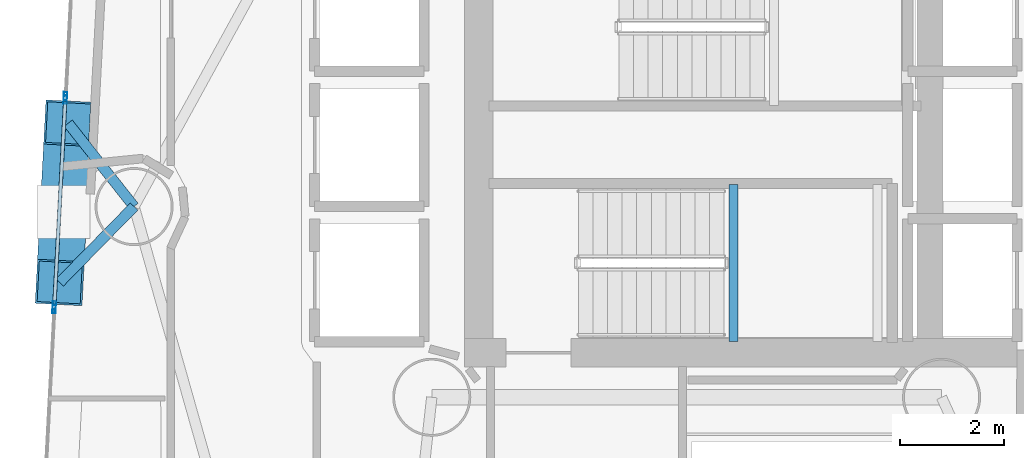
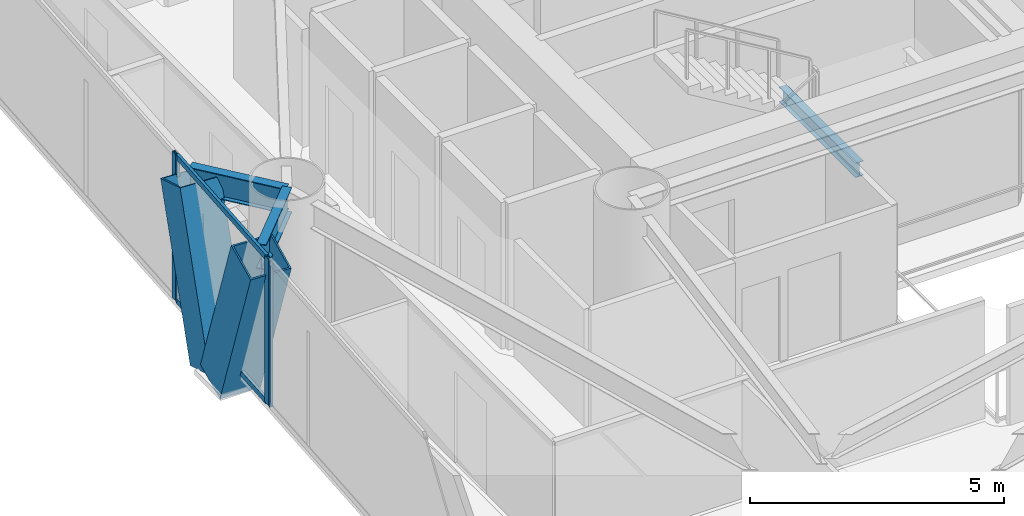
# One storey, part 7 of 21: 8 members, 3 beams, 3 elements without a shape of their own.
"""IFC4 building model written with IfcOpenShell, lengths in metres."""

import ifcopenshell
import ifcopenshell.guid

model = None  # the IFC model being written
_history = None  # IfcOwnerHistory: only IFC2X3 demands one
_inside = {}  # id of a spatial element -> (the spatial element, [elements in it])
_under = {}  # id of a project, library or spatial element -> (it, [spatial elements below it])
_declared = {}  # id of a project -> (the project, [libraries it declares])
_typed = {}  # id of a type object -> (the type object, [elements of that type])
_made_of = {}  # id of a material, layer set ... -> (it, [elements and type objects made of it])


def new_model(schema):
    """Start an empty IFC model of exactly this schema.

    Asked for "IFC4X3", IfcOpenShell would pick the latest addendum, in which some entities
    have other attributes; the version numbers below select the first issue.
    IFC2X3 requires an IfcOwnerHistory on every rooted entity: one is made here for all.
    """
    global model, _history
    if schema == "IFC4X3":
        model = ifcopenshell.file(schema_version=(4, 3, 0, 0))
    else:
        model = ifcopenshell.file(schema=schema)
    _inside.clear()
    _under.clear()
    _declared.clear()
    _typed.clear()
    _made_of.clear()
    _history = None
    if model.schema == "IFC2X3":
        org = make("IfcOrganization", Name="unknown")
        user = make(
            "IfcPersonAndOrganization",
            ThePerson=make("IfcPerson", FamilyName="unknown"),
            TheOrganization=org,
        )
        app = make(
            "IfcApplication",
            ApplicationDeveloper=org,
            Version="unknown",
            ApplicationFullName="unknown",
            ApplicationIdentifier="unknown",
        )
        _history = make(
            "IfcOwnerHistory",
            OwningUser=user,
            OwningApplication=app,
            ChangeAction="ADDED",
            CreationDate=0,
        )
    return model


def make(cls, **values):
    """One entity of the class cls with the attributes given. An attribute that is None is left unset."""
    return model.create_entity(
        cls, **{name: value for name, value in values.items() if value is not None}
    )


def rooted(cls, **values):
    """An entity with a GlobalId (a new one), such as an element, a storey or a relation."""
    return make(cls, GlobalId=ifcopenshell.guid.new(), OwnerHistory=_history, **values)


def si_unit(unit_type, name, prefix=None):
    """IfcSIUnit, for example si_unit("LENGTHUNIT", "METRE", prefix="MILLI")."""
    return make("IfcSIUnit", UnitType=unit_type, Prefix=prefix, Name=name)


def assignment(units):
    """IfcUnitAssignment: the units of a project."""
    return None if units is None else make("IfcUnitAssignment", Units=units)


def point(xyz):
    """IfcCartesianPoint."""
    return None if xyz is None else make("IfcCartesianPoint", Coordinates=xyz)


def direction(xyz):
    """IfcDirection."""
    return None if xyz is None else make("IfcDirection", DirectionRatios=xyz)


def frame(location, z_axis=None, x_axis=None):
    """IfcAxis2Placement3D, a coordinate frame: its origin and axes. An axis left out is left unset."""
    return make(
        "IfcAxis2Placement3D",
        Location=point(location),
        Axis=direction(z_axis),
        RefDirection=direction(x_axis),
    )


def frame_2d(location, x_axis=None):
    """IfcAxis2Placement2D, a coordinate frame in the plane: its origin and x axis."""
    return make(
        "IfcAxis2Placement2D", Location=point(location), RefDirection=direction(x_axis)
    )


def origin():
    """The frame at (0, 0, 0) with its axes left unset."""
    return frame((0.0, 0.0, 0.0))


def origin_2d():
    """The frame at (0, 0) in the plane with its x axis left unset."""
    return frame_2d((0.0, 0.0))


def place(relative_to, where):
    """IfcLocalPlacement: puts the frame where relative to a parent placement (None: the world)."""
    return make(
        "IfcLocalPlacement", PlacementRelTo=relative_to, RelativePlacement=where
    )


def context(
    kind, dimensions, precision=None, world=None, true_north=None, identifier=None
):
    """IfcGeometricRepresentationContext, for example the 3D "Model" context."""
    return make(
        "IfcGeometricRepresentationContext",
        ContextIdentifier=identifier,
        ContextType=kind,
        CoordinateSpaceDimension=dimensions,
        Precision=precision,
        WorldCoordinateSystem=world,
        TrueNorth=true_north,
    )


def subcontext(parent, identifier, kind, view, scale=None):
    """IfcGeometricRepresentationSubContext, for example "Body" below "Model"."""
    return make(
        "IfcGeometricRepresentationSubContext",
        ContextIdentifier=identifier,
        ContextType=kind,
        ParentContext=parent,
        TargetScale=scale,
        TargetView=view,
    )


def project(units=None, contexts=None):
    """IfcProject with its units and contexts."""
    return rooted(
        "IfcProject",
        Name="project",
        RepresentationContexts=contexts,
        UnitsInContext=assignment(units),
    )


def spatial(cls, under=None, at=None, **own):
    """A site, building, storey or space (cls), placed at a placement, below another one or the project."""
    s = rooted(cls, ObjectPlacement=at, **own)
    if under is not None:
        _under.setdefault(under.id(), (under, []))[1].append(s)
    return s


def profile(cls, at=None, kind="AREA", **sizes):
    """A parametric profile (cls). Its sizes go by their IFC names, for example OverallWidth=200.0."""
    return make(cls, ProfileType=kind, Position=at, **sizes)


def hollow_rectangle(**sizes):
    """IfcRectangleHollowProfileDef."""
    return profile("IfcRectangleHollowProfileDef", **sizes)


def i_section(**sizes):
    """IfcIShapeProfileDef."""
    return profile("IfcIShapeProfileDef", **sizes)


def extrude(swept, where, along, depth):
    """IfcExtrudedAreaSolid: the profile swept, set in the frame where, extruded along a direction by depth."""
    return make(
        "IfcExtrudedAreaSolid",
        SweptArea=swept,
        Position=where,
        ExtrudedDirection=direction(along),
        Depth=depth,
    )


def shape(context_of_items, identifier, shape_type, items):
    """IfcShapeRepresentation: the items that make up one representation, for example the "Body"."""
    return make(
        "IfcShapeRepresentation",
        ContextOfItems=context_of_items,
        RepresentationIdentifier=identifier,
        RepresentationType=shape_type,
        Items=items,
    )


def material(Name=None, Category=None):
    """IfcMaterial."""
    return make("IfcMaterial", Name=Name, Category=Category)


def layer(
    of_material, thickness, ventilated=None, Name=None, Category=None, Priority=None
):
    """IfcMaterialLayer: one layer of a wall or slab, of a material (None: an air gap)."""
    return make(
        "IfcMaterialLayer",
        Material=of_material,
        LayerThickness=thickness,
        IsVentilated=ventilated,
        Name=Name,
        Category=Category,
        Priority=Priority,
    )


def layer_set(layers, Name=None):
    """IfcMaterialLayerSet."""
    return make("IfcMaterialLayerSet", MaterialLayers=layers, LayerSetName=Name)


def material_profile(
    of_material, cross_section, Name=None, Category=None, Priority=None
):
    """IfcMaterialProfile: a cross section and its material."""
    return make(
        "IfcMaterialProfile",
        Name=Name,
        Material=of_material,
        Profile=cross_section,
        Priority=Priority,
        Category=Category,
    )


def profile_set(profiles, Name=None, composite=None):
    """IfcMaterialProfileSet."""
    return make(
        "IfcMaterialProfileSet",
        Name=Name,
        MaterialProfiles=profiles,
        CompositeProfile=composite,
    )


def made_of(thing, what):
    """Note that an element or type object is made of a material, layer set ...; save() writes the relation."""
    if what is not None:
        _made_of.setdefault(what.id(), (what, []))[1].append(thing)
    return thing


def type_object(cls, material=None, **own):
    """A type object (cls), such as IfcWallType, which elements share."""
    return made_of(rooted(cls, **own), material)


def element(
    cls,
    number,
    at=None,
    inside=None,
    cuts=None,
    type_object=None,
    material=None,
    context=None,
    identifier="Body",
    shape_type=None,
    held_by="IfcProductDefinitionShape",
    body=None,
    shapes=None,
    **own,
):
    """One element of the class cls, such as IfcWall. Its Tag is "e" and its number.

    at: its placement. inside: the storey or other place that contains it. cuts: it is an
    opening in that element (IfcRelVoidsElement). A single representation is given by context,
    identifier, shape_type and body (its items); several are given by shapes. held_by: the class
    of the entity that holds the representations. save() writes the other relations.
    """
    e = rooted(cls, Tag="e%d" % number, ObjectPlacement=at, **own)
    if body is not None:
        shapes = [shape(context, identifier, shape_type, body)]
    if shapes is not None:
        e.Representation = make(held_by, Representations=shapes)
    if inside is not None:
        _inside.setdefault(inside.id(), (inside, []))[1].append(e)
    if cuts is not None:
        rooted(
            "IfcRelVoidsElement", RelatingBuildingElement=cuts, RelatedOpeningElement=e
        )
    if type_object is not None:
        _typed.setdefault(type_object.id(), (type_object, []))[1].append(e)
    return made_of(e, material)


def aggregate(whole, parts):
    """IfcRelAggregates: a whole, such as a stair, and the parts it consists of."""
    return rooted("IfcRelAggregates", RelatingObject=whole, RelatedObjects=parts)


def save(model, path):
    """Write the relations noted so far, then the file.

    IfcRelAggregates (storeys below a building ...), IfcRelContainedInSpatialStructure (elements
    in a storey), IfcRelDefinesByType, IfcRelAssociatesMaterial and IfcRelDeclares: one each for
    every whole, place, type object, material and project.
    """
    for whole, parts in _under.values():
        aggregate(whole, parts)
    for where, things in _inside.values():
        rooted(
            "IfcRelContainedInSpatialStructure",
            RelatedElements=things,
            RelatingStructure=where,
        )
    for kind, things in _typed.values():
        rooted("IfcRelDefinesByType", RelatedObjects=things, RelatingType=kind)
    for what, things in _made_of.values():
        rooted("IfcRelAssociatesMaterial", RelatedObjects=things, RelatingMaterial=what)
    for by, libraries in _declared.values():
        rooted("IfcRelDeclares", RelatingContext=by, RelatedDefinitions=libraries)
    model.write(path)


model = new_model("IFC4")

# Units and contexts
model_context = context("Model", 3, precision=1e-05, world=origin(), true_north=direction((0.0, 1.0)))
body_context = subcontext(model_context, "Body", "Model", "MODEL_VIEW")
ifc_project = project(units=[si_unit("LENGTHUNIT", "METRE"), si_unit("AREAUNIT", "SQUARE_METRE"), si_unit("VOLUMEUNIT", "CUBIC_METRE"), si_unit("PLANEANGLEUNIT", "RADIAN"), si_unit("MASSUNIT", "GRAM", prefix="KILO")], contexts=[model_context])

# Site, building, storey
site_placement = place(None, origin())
site = spatial("IfcSite", under=ifc_project, at=site_placement, CompositionType="ELEMENT")
building_placement = place(site_placement, origin())
building = spatial("IfcBuilding", under=site, at=building_placement, Name="Qianvela Tower", CompositionType="ELEMENT")
storey_placement = place(building_placement, frame((0.0, 0.0, 131.10009765625)))
storey = spatial("IfcBuildingStorey", under=building, at=storey_placement, Name="L33", CompositionType="ELEMENT", Elevation=131.10009765625)

# Beams
ifc_material_1 = material(Name="Steel Q355B", Category="steel")
ifc_material_profile_1 = material_profile(ifc_material_1, i_section(OverallWidth=0.175048828125, OverallDepth=0.35009765625, WebThickness=0.007080078125, FlangeThickness=0.010986328125, at=origin_2d()), Name="HN350x175x7x11")
ifc_profile_set_1 = profile_set([ifc_material_profile_1], Name="Steel Q355B")
beam_type_1 = type_object("IfcBeamType", Name="BM-HN350-JOIST", PredefinedType="JOIST", material=ifc_profile_set_1)
beam_1_placement = place(storey_placement, frame((34.39990234375, 24.919921875, 1.474853515625), z_axis=(0.0, 1.0, 0.0), x_axis=(-1.0, 0.0, 0.0)))
element("IfcBeam", 1, at=beam_1_placement, inside=storey, type_object=beam_type_1, Name="L33 Stair ST-2 Landing Support Beam 1.1", PredefinedType="JOIST", context=body_context, shape_type="SweptSolid", body=[
    extrude(i_section(OverallWidth=0.175048828125, OverallDepth=0.35009765625, WebThickness=0.007080078125, FlangeThickness=0.010986328125, at=origin_2d()), origin(), (0.0, 0.0, 1.0), 3.02001953125),
])
ifc_material_2 = material(Name="Steel Q355B", Category="steel")
ifc_material_profile_2 = material_profile(ifc_material_2, i_section(OverallWidth=0.199951171875, OverallDepth=0.60009765625, WebThickness=0.010986328125, FlangeThickness=0.01708984375, at=origin_2d()), Name="HN600x200x11x17")
ifc_profile_set_2 = profile_set([ifc_material_profile_2], Name="Steel Q355B")
beam_type_2 = type_object("IfcBeamType", Name="BM-HN600-GIRD", PredefinedType="BEAM", material=ifc_profile_set_2)
beam_2_placement = place(storey_placement, frame((22.8779296875, 27.51611328125, 3.218017578125), z_axis=(-0.620179122694, 0.784460232118, 0.0), x_axis=(-0.784460232118, -0.620179122694, 0.0)))
element("IfcBeam", 2, at=beam_2_placement, inside=storey, type_object=beam_type_2, Name="L33 Mega-Brace Column Tie Bracket F2-1", PredefinedType="BEAM", context=body_context, shape_type="SweptSolid", body=[
    extrude(i_section(OverallWidth=0.199951171875, OverallDepth=0.60009765625, WebThickness=0.010986328125, FlangeThickness=0.01708984375, at=origin_2d()), origin(), (0.0, 0.0, 1.0), 2.0419921875),
])
beam_3_placement = place(storey_placement, frame((22.8779296875, 27.51611328125, 3.218017578125), z_axis=(-0.699716335504, -0.714420779253, 0.0), x_axis=(0.714420779253, -0.699716335504, 0.0)))
element("IfcBeam", 3, at=beam_3_placement, inside=storey, type_object=beam_type_2, Name="L33 Mega-Brace Column Tie Bracket F2-2", PredefinedType="BEAM", context=body_context, shape_type="SweptSolid", body=[
    extrude(i_section(OverallWidth=0.199951171875, OverallDepth=0.60009765625, WebThickness=0.010986328125, FlangeThickness=0.01708984375, at=origin_2d()), origin(), (0.0, 0.0, 1.0), 2.042236328125),
])

# Curtain wall, members
ifc_material_3 = material(Name="Anodised Architectural Aluminium and Insulated Spandrel Panel", Category="aluminium")
ifc_layer_1 = layer(ifc_material_3, 0.179931640625)
ifc_layer_set_1 = layer_set([ifc_layer_1], Name="Anodised Architectural Aluminium and Insulated Spandrel Panel")
curtain_wall_type_1 = type_object("IfcCurtainWallType", Name="CW-BRACEBAY", PredefinedType="USERDEFINED", material=ifc_layer_set_1)
curtain_wall_1_placement = place(storey_placement, origin())
curtain_wall_1 = element("IfcCurtainWall", 4, at=curtain_wall_1_placement, inside=storey, type_object=curtain_wall_type_1, Name="L33 CW-BRACEBAY Curtain Wall 04B", ObjectType="CURTAIN_WALL_SYSTEM", PredefinedType="USERDEFINED")
ifc_material_4 = material(Name="Anodised Architectural Aluminium 6063-T6", Category="aluminium")
ifc_material_profile_3 = material_profile(ifc_material_4, hollow_rectangle(XDim=0.06494140625, YDim=0.159912109375, WallThickness=0.0048828125, at=origin_2d()), Name="ALU-MULL-65x160")
ifc_profile_set_3 = profile_set([ifc_material_profile_3], Name="Anodised Architectural Aluminium 6063-T6")
member_type_1 = type_object("IfcMemberType", Name="CW-BRACEBAY-MULL", PredefinedType="MULLION", material=ifc_profile_set_3)
member_1_placement = place(storey_placement, frame((21.5556640625, 29.572265625, 0.0), z_axis=(0.0, 0.0, 1.0), x_axis=(0.998591727991, -0.053052434325, 0.0)))
member_1 = element("IfcMember", 5, at=member_1_placement, type_object=member_type_1, Name="CW-9 mullion 1", PredefinedType="MULLION", context=body_context, shape_type="SweptSolid", body=[
    extrude(hollow_rectangle(XDim=0.06494140625, YDim=0.159912109375, WallThickness=0.0048828125, at=origin_2d()), origin(), (0.0, 0.0, 1.0), 3.52001953125),
])
member_2_placement = place(storey_placement, frame((21.34521484375, 25.613037109375, 0.0), z_axis=(0.0, 0.0, 1.0), x_axis=(0.998591727991, -0.053052434325, 0.0)))
member_2 = element("IfcMember", 6, at=member_2_placement, type_object=member_type_1, Name="CW-9 mullion 2", PredefinedType="MULLION", context=body_context, shape_type="SweptSolid", body=[
    extrude(hollow_rectangle(XDim=0.06494140625, YDim=0.159912109375, WallThickness=0.0048828125, at=origin_2d()), origin(), (0.0, 0.0, 1.0), 3.52001953125),
])
ifc_material_5 = material(Name="Anodised Architectural Aluminium 6063-T6", Category="aluminium")
ifc_material_profile_4 = material_profile(ifc_material_5, hollow_rectangle(XDim=0.06494140625, YDim=0.1298828125, WallThickness=0.00439453125, at=origin_2d()), Name="ALU-TRAN-65x130")
ifc_profile_set_4 = profile_set([ifc_material_profile_4], Name="Anodised Architectural Aluminium 6063-T6")
member_type_2 = type_object("IfcMemberType", Name="CW-BRACEBAY-TRAN", PredefinedType="USERDEFINED", material=ifc_profile_set_4)
member_3_placement = place(storey_placement, frame((21.553955078125, 29.539794921875, 0.032470703125), z_axis=(-0.053087843368, -0.998589846176, 0.0), x_axis=(0.998589846176, -0.053087843368, 0.0)))
member_3 = element("IfcMember", 7, at=member_3_placement, type_object=member_type_2, Name="CW-9 transom 1.1", ObjectType="TRANSOM", PredefinedType="USERDEFINED", context=body_context, shape_type="SweptSolid", body=[
    extrude(hollow_rectangle(XDim=0.06494140625, YDim=0.1298828125, WallThickness=0.00439453125, at=origin_2d()), origin(), (0.0, 0.0, 1.0), 3.89990234375),
])
member_4_placement = place(storey_placement, frame((21.553955078125, 29.539794921875, 3.4873046875), z_axis=(-0.053087843368, -0.998589846176, 0.0), x_axis=(0.998589846176, -0.053087843368, 0.0)))
member_4 = element("IfcMember", 8, at=member_4_placement, type_object=member_type_2, Name="CW-9 transom 1.2", ObjectType="TRANSOM", PredefinedType="USERDEFINED", context=body_context, shape_type="SweptSolid", body=[
    extrude(hollow_rectangle(XDim=0.06494140625, YDim=0.1298828125, WallThickness=0.00439453125, at=origin_2d()), origin(), (0.0, 0.0, 1.0), 3.89990234375),
])
aggregate(curtain_wall_1, [member_1, member_2, member_3, member_4])

# Curtain wall, member
ifc_material_6 = material(Name="Anodised Architectural Aluminium and Low-E Glass", Category="aluminium")
ifc_layer_2 = layer(ifc_material_6, 0.169921875)
ifc_layer_set_2 = layer_set([ifc_layer_2], Name="Anodised Architectural Aluminium and Low-E Glass")
curtain_wall_type_2 = type_object("IfcCurtainWallType", Name="CW-COLIV-Z34", PredefinedType="USERDEFINED", material=ifc_layer_set_2)
curtain_wall_2_placement = place(storey_placement, origin())
curtain_wall_2 = element("IfcCurtainWall", 9, at=curtain_wall_2_placement, inside=storey, type_object=curtain_wall_type_2, Name="L33 CW-COLIV-Z34 Curtain Wall 04A", ObjectType="CURTAIN_WALL_SYSTEM", PredefinedType="USERDEFINED")
ifc_material_7 = material(Name="Anodised Architectural Aluminium 6063-T6", Category="aluminium")
ifc_material_profile_5 = material_profile(ifc_material_7, hollow_rectangle(XDim=0.06494140625, YDim=0.159912109375, WallThickness=0.0048828125, at=origin_2d()), Name="ALU-MULL-65x160")
ifc_profile_set_5 = profile_set([ifc_material_profile_5], Name="Anodised Architectural Aluminium 6063-T6")
member_type_3 = type_object("IfcMemberType", Name="CW-COLIV-Z34-MULL", PredefinedType="MULLION", material=ifc_profile_set_5)
member_5_placement = place(storey_placement, frame((21.55908203125, 29.63720703125, 0.0), z_axis=(0.0, 0.0, 1.0), x_axis=(0.9985932149, -0.053024439224, 0.0)))
member_5 = element("IfcMember", 10, at=member_5_placement, type_object=member_type_3, Name="CW-4 mullion 2", PredefinedType="MULLION", context=body_context, shape_type="SweptSolid", body=[
    extrude(hollow_rectangle(XDim=0.06494140625, YDim=0.159912109375, WallThickness=0.0048828125, at=origin_2d()), origin(), (0.0, 0.0, 1.0), 3.52001953125),
])
aggregate(curtain_wall_2, [member_5])

curtain_wall_3_placement = place(storey_placement, origin())
curtain_wall_3 = element("IfcCurtainWall", 11, at=curtain_wall_3_placement, inside=storey, type_object=curtain_wall_type_2, Name="L33 CW-COLIV-Z34 Curtain Wall 04C", ObjectType="CURTAIN_WALL_SYSTEM", PredefinedType="USERDEFINED")
member_6_placement = place(storey_placement, frame((21.341796875, 25.548095703125, 0.0), z_axis=(0.0, 0.0, 1.0), x_axis=(0.998593219177, -0.053024358685, 0.0)))
member_6 = element("IfcMember", 12, at=member_6_placement, type_object=member_type_3, Name="CW-4 mullion 1", PredefinedType="MULLION", context=body_context, shape_type="SweptSolid", body=[
    extrude(hollow_rectangle(XDim=0.06494140625, YDim=0.159912109375, WallThickness=0.0048828125, at=origin_2d()), origin(), (0.0, 0.0, 1.0), 3.52001953125),
])
aggregate(curtain_wall_3, [member_6])

# Members
ifc_material_8 = material(Name="Steel Q420GJC", Category="steel")
ifc_material_profile_6 = material_profile(ifc_material_8, hollow_rectangle(XDim=0.89990234375, YDim=0.89990234375, WallThickness=0.035888671875, at=origin_2d()), Name="MBOX-900x900x36")
ifc_profile_set_6 = profile_set([ifc_material_profile_6], Name="Steel Q420GJC")
member_type_4 = type_object("IfcMemberType", Name="MBR-MBRACE-900", PredefinedType="BRACE", material=ifc_profile_set_6)
member_7_placement = place(storey_placement, frame((21.543212890625, 27.83056640625, -0.482177734375), z_axis=(0.017445998765, 0.328545541028, 0.944326990294), x_axis=(-0.998593132234, 0.053025996022, 0.0)))
element("IfcMember", 13, at=member_7_placement, inside=storey, type_object=member_type_4, Name="L33 Tier 5 Exterior Mega-Brace F2A", PredefinedType="BRACE", context=body_context, shape_type="SweptSolid", body=[
    extrude(hollow_rectangle(XDim=0.89990234375, YDim=0.89990234375, WallThickness=0.035888671875, at=origin_2d()), origin(), (0.0, 0.0, 1.0), 3.91845703125),
])
member_8_placement = place(storey_placement, frame((21.519775390625, 27.39111328125, -0.482177734375), z_axis=(-0.017997371295, -0.339095299162, 0.940579859827), x_axis=(0.998594508345, -0.053000074564, 0.0)))
element("IfcMember", 14, at=member_8_placement, inside=storey, type_object=member_type_4, Name="L33 Tier 5 Exterior Mega-Brace F2B", PredefinedType="BRACE", context=body_context, shape_type="SweptSolid", body=[
    extrude(hollow_rectangle(XDim=0.89990234375, YDim=0.89990234375, WallThickness=0.035888671875, at=origin_2d()), origin(), (0.0, 0.0, 1.0), 3.933837890625),
])

save(model, "model.ifc")
